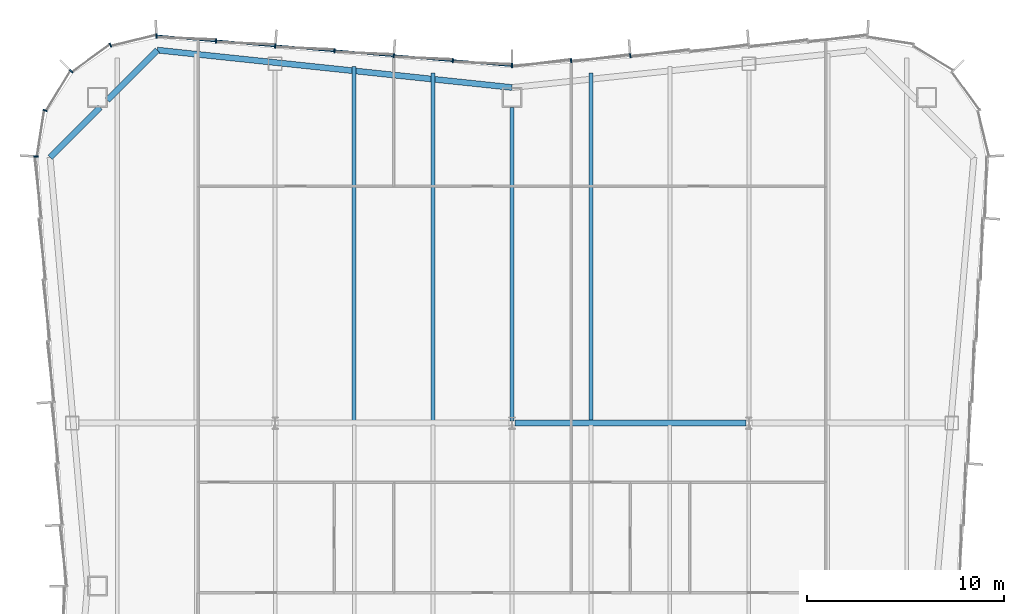
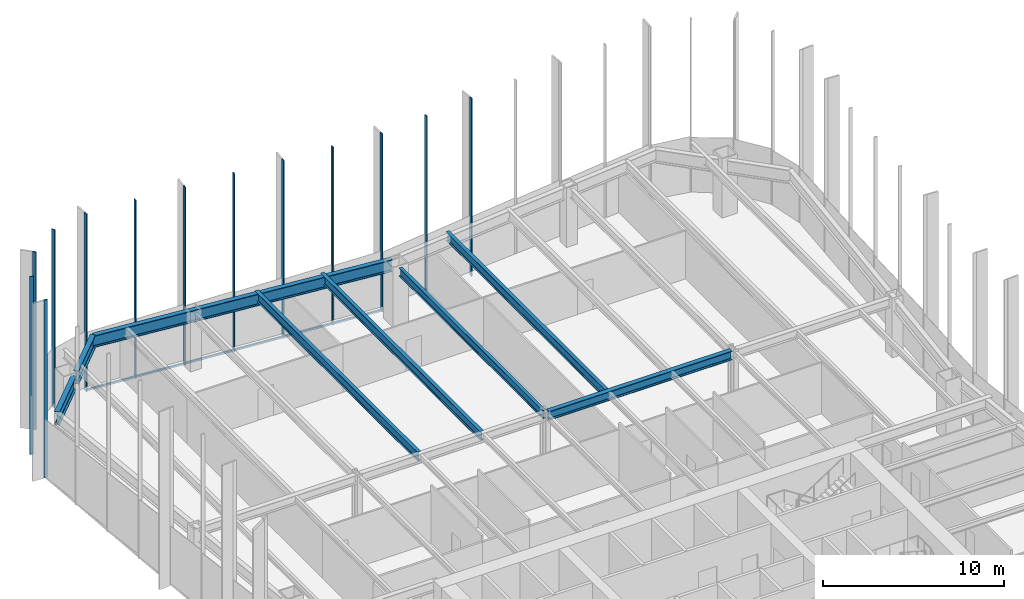
# One storey, part 6 of 13: 14 members, 8 beams, 3 elements without a shape of their own.
"""IFC4 building model written with IfcOpenShell, lengths in metres."""

from ifc_helpers import new_model, si_unit, direction, frame, origin, origin_2d, place, context, subcontext, project, spatial, rectangle, i_section, extrude, material, material_profile, profile_set, type_object, element, aggregate, save


model = new_model("IFC4")

# Units and contexts
model_context = context("Model", 3, precision=1e-05, world=origin(), true_north=direction((0.0, 1.0)))
body_context = subcontext(model_context, "Body", "Model", "MODEL_VIEW")
ifc_project = project(units=[si_unit("LENGTHUNIT", "METRE"), si_unit("AREAUNIT", "SQUARE_METRE"), si_unit("VOLUMEUNIT", "CUBIC_METRE"), si_unit("PLANEANGLEUNIT", "RADIAN"), si_unit("MASSUNIT", "GRAM", prefix="KILO")], contexts=[model_context])

# Site, building, storey
site_placement = place(None, origin())
site = spatial("IfcSite", under=ifc_project, at=site_placement, CompositionType="ELEMENT")
building_placement = place(site_placement, origin())
building = spatial("IfcBuilding", under=site, at=building_placement, Name="Verdant Reach Tower", CompositionType="ELEMENT")
storey_placement = place(building_placement, frame((0.0, 0.0, 182.0)))
storey = spatial("IfcBuildingStorey", under=building, at=storey_placement, Name="L41", CompositionType="ELEMENT", Elevation=182.0)

# Curtain wall, members
ifc_material_1 = material(Name="Anodised aluminium", Category="aluminium")
curtain_wall_type = type_object("IfcCurtainWallType", Name="EN-CW SYSTEM Z3", PredefinedType="NOTDEFINED", material=ifc_material_1)
curtain_wall_1_placement = place(storey_placement, origin())
curtain_wall_1 = element("IfcCurtainWall", 1, at=curtain_wall_1_placement, inside=storey, type_object=curtain_wall_type, Name="Curtain wall north, L41", PredefinedType="NOTDEFINED")
ifc_material_profile_1 = material_profile(ifc_material_1, rectangle(XDim=0.218017578125, YDim=0.06591796875, at=origin_2d()), Name="Mullion 66x218")
ifc_profile_set_1 = profile_set([ifc_material_profile_1], Name="Anodised aluminium")
member_type_1 = type_object("IfcMemberType", Name="EN-MULLION Z3", PredefinedType="MULLION", material=ifc_profile_set_1)
member_1_placement = place(storey_placement, frame((5.990966796875, 68.108642578125, -0.35009765625), z_axis=(0.0, 0.0, 1.0), x_axis=(-0.083045479859, 0.996545758244, 0.0)))
member_1 = element("IfcMember", 2, at=member_1_placement, type_object=member_type_1, Name="Mullion north face part 1 5, L41", PredefinedType="MULLION", context=body_context, shape_type="SweptSolid", body=[
    extrude(rectangle(XDim=0.218017578125, YDim=0.06591796875, at=origin_2d()), origin(), (0.0, 0.0, 1.0), 12.0),
])
member_2_placement = place(storey_placement, frame((2.990966796875, 67.858642578125, -0.35009765625), z_axis=(0.0, 0.0, 1.0), x_axis=(-0.083045479859, 0.996545758244, 0.0)))
member_2 = element("IfcMember", 3, at=member_2_placement, type_object=member_type_1, Name="Mullion north face part 1 6, L41", PredefinedType="MULLION", context=body_context, shape_type="SweptSolid", body=[
    extrude(rectangle(XDim=0.218017578125, YDim=0.06591796875, at=origin_2d()), origin(), (0.0, 0.0, 1.0), 12.0),
])
member_3_placement = place(storey_placement, frame((0.0, 67.60888671875, -0.35009765625), z_axis=(0.0, 0.0, 1.0), x_axis=(0.0, 1.0, 0.0)))
member_3 = element("IfcMember", 4, at=member_3_placement, type_object=member_type_1, Name="Mullion north face part 2 1, L41", PredefinedType="MULLION", context=body_context, shape_type="SweptSolid", body=[
    extrude(rectangle(XDim=0.218017578125, YDim=0.06591796875, at=origin_2d()), origin(), (0.0, 0.0, 1.0), 12.0),
])
member_4_placement = place(storey_placement, frame((-2.990966796875, 67.858642578125, -0.35009765625), z_axis=(0.0, 0.0, 1.0), x_axis=(0.083045479859, 0.996545758244, 0.0)))
member_4 = element("IfcMember", 5, at=member_4_placement, type_object=member_type_1, Name="Mullion north face part 2 2, L41", PredefinedType="MULLION", context=body_context, shape_type="SweptSolid", body=[
    extrude(rectangle(XDim=0.218017578125, YDim=0.06591796875, at=origin_2d()), origin(), (0.0, 0.0, 1.0), 12.0),
])
member_5_placement = place(storey_placement, frame((-5.990966796875, 68.108642578125, -0.35009765625), z_axis=(0.0, 0.0, 1.0), x_axis=(0.083045479859, 0.996545758244, 0.0)))
member_5 = element("IfcMember", 6, at=member_5_placement, type_object=member_type_1, Name="Mullion north face part 2 3, L41", PredefinedType="MULLION", context=body_context, shape_type="SweptSolid", body=[
    extrude(rectangle(XDim=0.218017578125, YDim=0.06591796875, at=origin_2d()), origin(), (0.0, 0.0, 1.0), 12.0),
])
member_6_placement = place(storey_placement, frame((-8.990966796875, 68.358642578125, -0.35009765625), z_axis=(0.0, 0.0, 1.0), x_axis=(0.083045479859, 0.996545758244, 0.0)))
member_6 = element("IfcMember", 7, at=member_6_placement, type_object=member_type_1, Name="Mullion north face part 2 4, L41", PredefinedType="MULLION", context=body_context, shape_type="SweptSolid", body=[
    extrude(rectangle(XDim=0.218017578125, YDim=0.06591796875, at=origin_2d()), origin(), (0.0, 0.0, 1.0), 12.0),
])
member_7_placement = place(storey_placement, frame((-11.990966796875, 68.608642578125, -0.35009765625), z_axis=(0.0, 0.0, 1.0), x_axis=(0.083045479859, 0.996545758244, 0.0)))
member_7 = element("IfcMember", 8, at=member_7_placement, type_object=member_type_1, Name="Mullion north face part 2 5, L41", PredefinedType="MULLION", context=body_context, shape_type="SweptSolid", body=[
    extrude(rectangle(XDim=0.218017578125, YDim=0.06591796875, at=origin_2d()), origin(), (0.0, 0.0, 1.0), 12.0),
])
member_8_placement = place(storey_placement, frame((-14.990966796875, 68.858642578125, -0.35009765625), z_axis=(0.0, 0.0, 1.0), x_axis=(0.083045479859, 0.996545758244, 0.0)))
member_8 = element("IfcMember", 9, at=member_8_placement, type_object=member_type_1, Name="Mullion north face part 2 6, L41", PredefinedType="MULLION", context=body_context, shape_type="SweptSolid", body=[
    extrude(rectangle(XDim=0.218017578125, YDim=0.06591796875, at=origin_2d()), origin(), (0.0, 0.0, 1.0), 12.0),
])

curtain_wall_2_placement = place(storey_placement, origin())
curtain_wall_2 = element("IfcCurtainWall", 10, at=curtain_wall_2_placement, inside=storey, type_object=curtain_wall_type, Name="Curtain wall north-west corner, L41", PredefinedType="NOTDEFINED")
member_9_placement = place(storey_placement, frame((-18.006103515625, 69.10888671875, -0.35009765625), z_axis=(0.0, 0.0, 1.0), x_axis=(-0.056569187765, 0.998398681387, 0.0)))
member_9 = element("IfcMember", 11, at=member_9_placement, type_object=member_type_1, Name="Mullion north-west corner 1, L41", PredefinedType="MULLION", context=body_context, shape_type="SweptSolid", body=[
    extrude(rectangle(XDim=0.218017578125, YDim=0.06591796875, at=origin_2d()), origin(), (0.0, 0.0, 1.0), 12.0),
])
member_10_placement = place(storey_placement, frame((-20.337890625, 68.64404296875, -0.35009765625), z_axis=(0.0, 0.0, 1.0), x_axis=(-0.382693853776, 0.923875215753, 0.0)))
member_10 = element("IfcMember", 12, at=member_10_placement, type_object=member_type_1, Name="Mullion north-west corner 2, L41", PredefinedType="MULLION", context=body_context, shape_type="SweptSolid", body=[
    extrude(rectangle(XDim=0.218017578125, YDim=0.06591796875, at=origin_2d()), origin(), (0.0, 0.0, 1.0), 12.0),
])
member_11_placement = place(storey_placement, frame((-22.319580078125, 67.319580078125, -0.35009765625), z_axis=(0.0, 0.0, 1.0), x_axis=(-0.707106781187, 0.707106781187, 0.0)))
member_11 = element("IfcMember", 13, at=member_11_placement, type_object=member_type_1, Name="Mullion north-west corner 3, L41", PredefinedType="MULLION", context=body_context, shape_type="SweptSolid", body=[
    extrude(rectangle(XDim=0.218017578125, YDim=0.06591796875, at=origin_2d()), origin(), (0.0, 0.0, 1.0), 12.0),
])
member_12_placement = place(storey_placement, frame((-23.64404296875, 65.337890625, -0.35009765625), z_axis=(0.0, 0.0, 1.0), x_axis=(-0.923875215753, 0.382693853776, 0.0)))
member_12 = element("IfcMember", 14, at=member_12_placement, type_object=member_type_1, Name="Mullion north-west corner 4, L41", PredefinedType="MULLION", context=body_context, shape_type="SweptSolid", body=[
    extrude(rectangle(XDim=0.218017578125, YDim=0.06591796875, at=origin_2d()), origin(), (0.0, 0.0, 1.0), 12.0),
])
aggregate(curtain_wall_2, [member_9, member_10, member_11, member_12])

# Curtain wall, member
curtain_wall_3_placement = place(storey_placement, origin())
curtain_wall_3 = element("IfcCurtainWall", 15, at=curtain_wall_3_placement, inside=storey, type_object=curtain_wall_type, Name="Curtain wall west, L41", PredefinedType="NOTDEFINED")
member_13_placement = place(storey_placement, frame((-24.10888671875, 63.0068359375, -0.35009765625), z_axis=(0.0, 0.0, 1.0), x_axis=(-0.997969180898, 0.063698618332, 0.0)))
member_13 = element("IfcMember", 16, at=member_13_placement, type_object=member_type_1, Name="Mullion west face part 1 1, L41", PredefinedType="MULLION", context=body_context, shape_type="SweptSolid", body=[
    extrude(rectangle(XDim=0.218017578125, YDim=0.06591796875, at=origin_2d()), origin(), (0.0, 0.0, 1.0), 12.0),
])
aggregate(curtain_wall_3, [member_13])

# Member
ifc_material_profile_2 = material_profile(ifc_material_1, rectangle(XDim=0.10009765625, YDim=0.1259765625, at=origin_2d()), Name="Transom 126x100")
ifc_profile_set_2 = profile_set([ifc_material_profile_2], Name="Anodised aluminium")
member_type_2 = type_object("IfcMemberType", Name="EN-TRANSOM Z3", PredefinedType="USERDEFINED", material=ifc_profile_set_2)
member_14_placement = place(storey_placement, frame((-0.032958984375, 67.61181640625, -0.287109375), z_axis=(-0.996548750467, 0.083009565369, 0.0), x_axis=(-0.083009565369, -0.996548750467, 0.0)))
member_14 = element("IfcMember", 17, at=member_14_placement, type_object=member_type_2, Name="Transom north face part 2 1.1, L41", ObjectType="TRANSOM", PredefinedType="USERDEFINED", context=body_context, shape_type="SweptSolid", body=[
    extrude(rectangle(XDim=0.10009765625, YDim=0.1259765625, at=origin_2d()), origin(), (0.0, 0.0, 1.0), 18.00244140625),
])

aggregate(curtain_wall_1, [member_1, member_2, member_3, member_4, member_5, member_6, member_7, member_8, member_14])

# Beams
ifc_material_2 = material(Name="Steel S355", Category="steel")
ifc_material_profile_3 = material_profile(ifc_material_2, i_section(OverallWidth=0.300048828125, OverallDepth=0.60009765625, WebThickness=0.015380859375, FlangeThickness=0.030029296875, FilletRadius=0.027099609375, at=origin_2d()), Name="HEB 600")
ifc_profile_set_3 = profile_set([ifc_material_profile_3], Name="Steel S355")
beam_type_1 = type_object("IfcBeamType", Name="ST-BEAM-HEB600", PredefinedType="BEAM", material=ifc_profile_set_3)
beam_1_placement = place(storey_placement, frame((0.152587890625, 49.5, 3.570068359375), z_axis=(1.0, 0.0, 0.0), x_axis=(0.0, 1.0, 0.0)))
element("IfcBeam", 18, at=beam_1_placement, inside=storey, type_object=beam_type_1, Name="Row girder, L41", PredefinedType="BEAM", context=body_context, shape_type="SweptSolid", body=[
    extrude(i_section(OverallWidth=0.300048828125, OverallDepth=0.60009765625, WebThickness=0.015380859375, FlangeThickness=0.030029296875, FilletRadius=0.027099609375, at=origin_2d()), origin(), (0.0, 0.0, 1.0), 11.69482421875),
])
ifc_material_profile_4 = material_profile(ifc_material_2, i_section(OverallWidth=0.2099609375, OverallDepth=0.550048828125, WebThickness=0.010986328125, FlangeThickness=0.01708984375, FilletRadius=0.02392578125, at=origin_2d()), Name="IPE 550")
ifc_profile_set_4 = profile_set([ifc_material_profile_4], Name="Steel S355")
beam_type_2 = type_object("IfcBeamType", Name="ST-JOIST-IPE550", PredefinedType="JOIST", material=ifc_profile_set_4)
beam_2_placement = place(storey_placement, frame((0.0, 49.60009765625, 3.594970703125), z_axis=(0.0, 1.0, 0.0), x_axis=(-1.0, 0.0, 0.0)))
element("IfcBeam", 19, at=beam_2_placement, inside=storey, type_object=beam_type_2, Name="Floor joist, L41", PredefinedType="JOIST", context=body_context, shape_type="SweptSolid", body=[
    extrude(i_section(OverallWidth=0.2099609375, OverallDepth=0.550048828125, WebThickness=0.010986328125, FlangeThickness=0.01708984375, FilletRadius=0.02392578125, at=origin_2d()), origin(), (0.0, 0.0, 1.0), 15.89990234375),
])
ifc_material_profile_5 = material_profile(ifc_material_2, i_section(OverallWidth=0.219970703125, OverallDepth=0.60009765625, WebThickness=0.011962890625, FlangeThickness=0.01904296875, FilletRadius=0.02392578125, at=origin_2d()), Name="IPE 600")
ifc_profile_set_5 = profile_set([ifc_material_profile_5], Name="Steel S355")
beam_type_3 = type_object("IfcBeamType", Name="ST-JOIST-IPE600", PredefinedType="JOIST", material=ifc_profile_set_5)
beam_3_placement = place(storey_placement, frame((-8.0, 49.60009765625, 3.570068359375), z_axis=(0.0, 1.0, 0.0), x_axis=(-1.0, 0.0, 0.0)))
element("IfcBeam", 20, at=beam_3_placement, inside=storey, type_object=beam_type_3, Name="Floor joist, L41", PredefinedType="JOIST", context=body_context, shape_type="SweptSolid", body=[
    extrude(i_section(OverallWidth=0.219970703125, OverallDepth=0.60009765625, WebThickness=0.011962890625, FlangeThickness=0.01904296875, FilletRadius=0.02392578125, at=origin_2d()), origin(), (0.0, 0.0, 1.0), 17.964599609375),
])
for number, where, z_axis, x_axis, name in (
    (21, (-4.0, 49.60009765625, 3.570068359375), (0.0, 1.0, 0.0), (-1.0, 0.0, 0.0), "Floor joist, L41"),
    (22, (4.0, 49.60009765625, 3.570068359375), (0.0, 1.0, 0.0), (-1.0, 0.0, 0.0), "Floor joist, L41"),
):
    element("IfcBeam", number, at=place(storey_placement, frame(where, z_axis=z_axis, x_axis=x_axis)), inside=storey, type_object=beam_type_3, Name=name, PredefinedType="JOIST", context=body_context, shape_type="SweptSolid", body=[
        extrude(i_section(OverallWidth=0.219970703125, OverallDepth=0.60009765625, WebThickness=0.011962890625, FlangeThickness=0.01904296875, FilletRadius=0.02392578125, at=origin_2d()), origin(), (0.0, 0.0, 1.0), 17.631103515625),
    ])
ifc_material_profile_6 = material_profile(ifc_material_2, i_section(OverallWidth=0.300048828125, OverallDepth=0.800048828125, WebThickness=0.017578125, FlangeThickness=0.032958984375, FilletRadius=0.030029296875, at=origin_2d()), Name="HEB 800")
ifc_profile_set_6 = profile_set([ifc_material_profile_6], Name="Steel S355")
beam_type_4 = type_object("IfcBeamType", Name="ST-SPANDREL-HEB800", PredefinedType="SPANDREL", material=ifc_profile_set_6)
beam_4_placement = place(storey_placement, frame((-17.9658203125, 68.39501953125, 3.469970703125), z_axis=(0.994483067002, -0.104897232783, 0.0), x_axis=(0.104897232783, 0.994483067002, 0.0)))
element("IfcBeam", 23, at=beam_4_placement, inside=storey, type_object=beam_type_4, Name="Edge beam, L41", PredefinedType="SPANDREL", context=body_context, shape_type="SweptSolid", body=[
    extrude(i_section(OverallWidth=0.300048828125, OverallDepth=0.800048828125, WebThickness=0.017578125, FlangeThickness=0.032958984375, FilletRadius=0.030029296875, at=origin_2d()), origin(), (0.0, 0.0, 1.0), 18.0654296875),
])
ifc_material_profile_7 = material_profile(ifc_material_2, i_section(OverallWidth=0.302001953125, OverallDepth=0.909912109375, WebThickness=0.02099609375, FlangeThickness=0.0400390625, FilletRadius=0.030029296875, at=origin_2d()), Name="HEM 900")
ifc_profile_set_7 = profile_set([ifc_material_profile_7], Name="Steel S355")
beam_type_5 = type_object("IfcBeamType", Name="ST-SPANDREL-HEM900", PredefinedType="SPANDREL", material=ifc_profile_set_7)
beam_5_placement = place(storey_placement, frame((-23.39599609375, 62.96142578125, 3.4150390625), z_axis=(0.706902680526, 0.707310822952, 0.0), x_axis=(-0.707310822952, 0.706902680526, 0.0)))
element("IfcBeam", 24, at=beam_5_placement, inside=storey, type_object=beam_type_5, Name="Edge beam, L41", PredefinedType="SPANDREL", context=body_context, shape_type="SweptSolid", body=[
    extrude(i_section(OverallWidth=0.302001953125, OverallDepth=0.909912109375, WebThickness=0.02099609375, FlangeThickness=0.0400390625, FilletRadius=0.030029296875, at=origin_2d()), origin(), (0.0, 0.0, 1.0), 3.589111328125),
])
beam_6_placement = place(storey_placement, frame((-20.5, 65.859130859375, 3.4150390625), z_axis=(0.706868394255, 0.707345087777, 0.0), x_axis=(-0.707345087777, 0.706868394255, 0.0)))
element("IfcBeam", 25, at=beam_6_placement, inside=storey, type_object=beam_type_5, Name="Edge beam, L41", PredefinedType="SPANDREL", context=body_context, shape_type="SweptSolid", body=[
    extrude(i_section(OverallWidth=0.302001953125, OverallDepth=0.909912109375, WebThickness=0.02099609375, FlangeThickness=0.0400390625, FilletRadius=0.030029296875, at=origin_2d()), origin(), (0.0, 0.0, 1.0), 3.5849609375),
])

save(model, "model.ifc")
